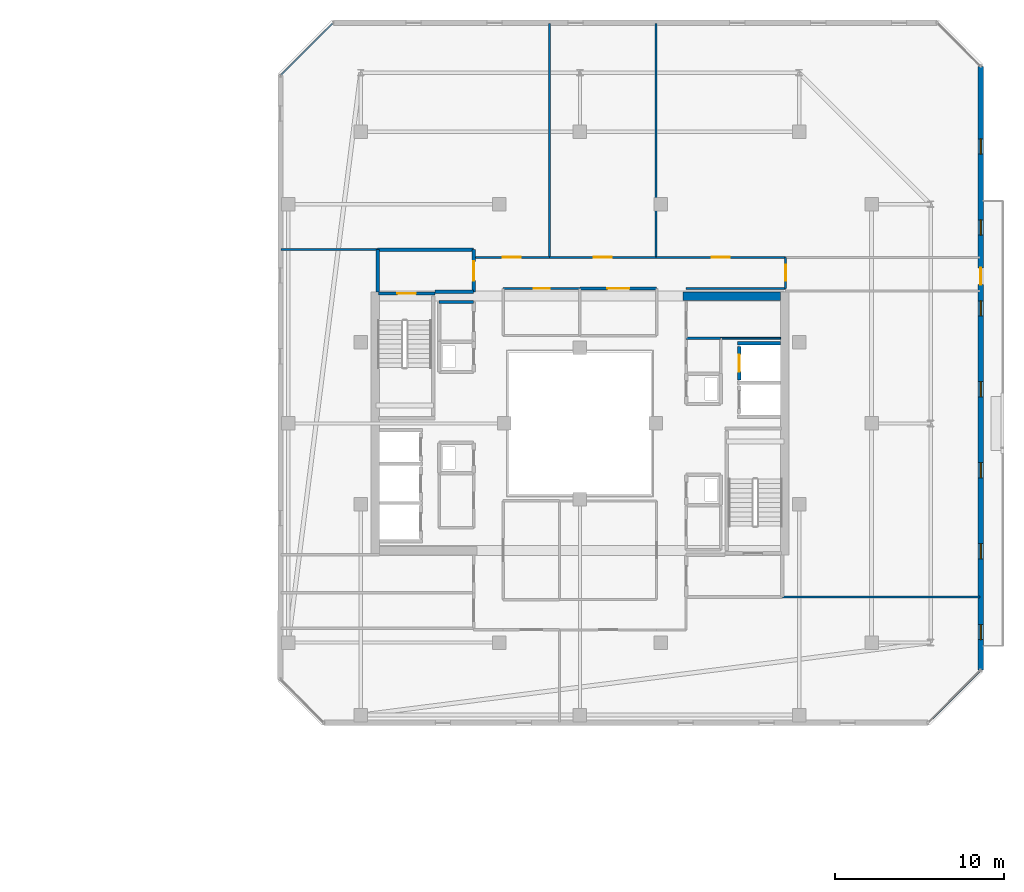
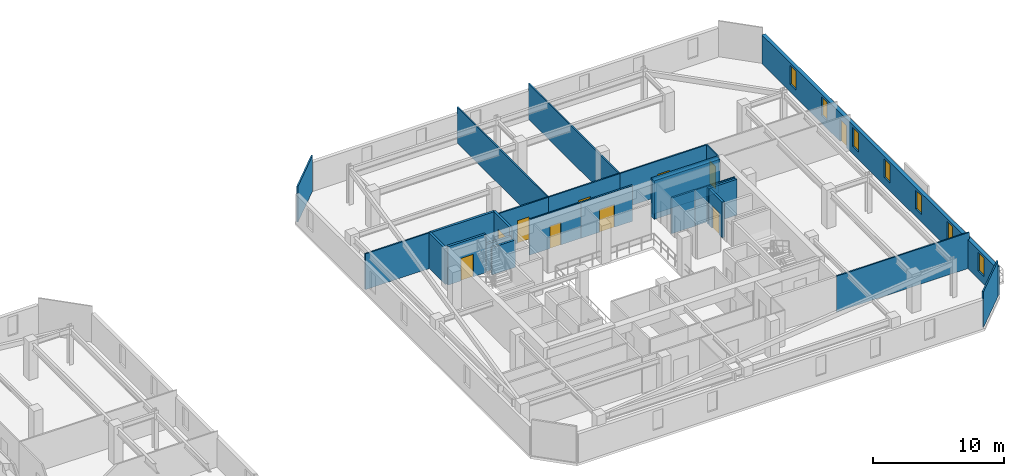
# One storey, part 27 of 35: 25 walls, 10 doors, 7 windows, 17 openings.
"""IFC4 building model written with IfcOpenShell, lengths in metres."""

from ifc_helpers import new_model, si_unit, direction, frame, frame_2d, origin, place, context, subcontext, project, spatial, rectangle, extrude, material, layer, layer_set, type_object, element, fill, save


model = new_model("IFC4")

# Units and contexts
model_context = context("Model", 3, precision=1e-05, world=origin(), true_north=direction((0.0, 1.0)))
body_context = subcontext(model_context, "Body", "Model", "MODEL_VIEW")
ifc_project = project(units=[si_unit("LENGTHUNIT", "METRE"), si_unit("AREAUNIT", "SQUARE_METRE"), si_unit("VOLUMEUNIT", "CUBIC_METRE"), si_unit("PLANEANGLEUNIT", "RADIAN"), si_unit("MASSUNIT", "GRAM", prefix="KILO")], contexts=[model_context])

# Site, building, storey
site_placement = place(None, origin())
site = spatial("IfcSite", under=ifc_project, at=site_placement, CompositionType="ELEMENT")
building_placement = place(site_placement, origin())
building = spatial("IfcBuilding", under=site, at=building_placement, Name="Thornwick Lancets Civic Towers", CompositionType="ELEMENT")
storey_placement = place(building_placement, frame((0.0, 0.0, 269.10009765625)))
storey = spatial("IfcBuildingStorey", under=building, at=storey_placement, Name="L72", CompositionType="ELEMENT", Elevation=269.10009765625)

# Wall, opening, door
ifc_material_1 = material(Name="Concrete blockwork C40/50", Category="masonry")
ifc_layer_1 = layer(ifc_material_1, 0.199951171875, Name="Concrete blockwork C40/50")
ifc_layer_set_1 = layer_set([ifc_layer_1], Name="Concrete blockwork C40/50")
wall_type_1 = type_object("IfcWallType", Name="WALL_COMP_200", PredefinedType="STANDARD", material=ifc_layer_set_1)
wall_1_placement = place(storey_placement, frame((97.949951171875, 31.570068359375, 0.0), z_axis=(0.0, 0.0, 1.0), x_axis=(0.0, -1.0, 0.0)))
wall_1 = element("IfcWall", 1, at=wall_1_placement, inside=storey, type_object=wall_type_1, Name="L72 Hoistway Front Wall PL-BH1", PredefinedType="STANDARD", context=body_context, shape_type="SweptSolid", body=[
    extrude(rectangle(XDim=1.989990234375, YDim=0.199951171875, at=frame_2d((0.9951171875, 0.0))), origin(), (0.0, 0.0, 1.0), 3.33984375),
])
opening_1_placement = place(wall_1_placement, frame((0.485107421875, 0.0, 0.0)))
opening_1 = element("IfcOpeningElement", 2, at=opening_1_placement, cuts=wall_1, Name="Opening LD-PL-BH1", PredefinedType="OPENING", context=body_context, shape_type="SweptSolid", body=[
    extrude(rectangle(XDim=1.02001953125, YDim=2.06005859375, at=frame_2d((0.510009765625, 1.030029296875))), frame((0.0, 0.10986328125, 0.0), z_axis=(0.0, -1.0, 0.0), x_axis=(1.0, 0.0, 0.0)), (0.0, 0.0, 1.0), 0.219970703125),
])
ifc_material_2 = material(Name="Brushed bronze stainless steel", Category="steel")
door_type_1 = type_object("IfcDoorType", Name="DOOR_LIFT_SLIDE", OperationType="SLIDING_TO_LEFT", PredefinedType="DOOR", material=ifc_material_2)
door_1_placement = place(opening_1_placement, origin())
door_1 = element("IfcDoor", 3, at=door_1_placement, inside=storey, type_object=door_type_1, Name="L72 Sliding Lift Landing Door LD-PL-BH1", OperationType="SLIDING_TO_LEFT", OverallHeight=2.06005859375, OverallWidth=1.02001953125, PredefinedType="DOOR", context=body_context, shape_type="SweptSolid", body=[
    extrude(rectangle(XDim=1.02001953125, YDim=2.06005859375, at=frame_2d((0.510009765625, 1.030029296875))), frame((0.0, 0.02490234375, 0.0), z_axis=(0.0, -1.0, 0.0), x_axis=(1.0, 0.0, 0.0)), (0.0, 0.0, 1.0), 0.050048828125),
])
fill(opening_1, door_1)

# Walls
wall_2_placement = place(storey_placement, frame((97.85205078125, 31.75, 0.0), z_axis=(0.0, 0.0, 1.0), x_axis=(1.0, 0.0, 0.0)))
element("IfcWall", 4, at=wall_2_placement, inside=storey, type_object=wall_type_1, Name="L72 Hoistway Shaft Wall PL-BH1 N", PredefinedType="STANDARD", context=body_context, shape_type="SweptSolid", body=[
    extrude(rectangle(XDim=2.535888671875, YDim=0.199951171875, at=frame_2d((1.26806640625, 0.0))), origin(), (0.0, 0.0, 1.0), 3.33984375),
])
wall_3_placement = place(storey_placement, frame((79.89990234375, 34.800048828125, 0.0), z_axis=(0.0, 0.0, 1.0), x_axis=(1.0, 0.0, 0.0)))
element("IfcWall", 5, at=wall_3_placement, inside=storey, type_object=wall_type_1, Name="L72 Partition L72-B-FFLOB2 E1", PredefinedType="STANDARD", context=body_context, shape_type="SweptSolid", body=[
    extrude(rectangle(XDim=2.300048828125, YDim=0.199951171875, at=frame_2d((1.14990234375, 0.0))), origin(), (0.0, 0.0, 1.0), 2.544921875),
])

# Wall, opening, door
wall_4_placement = place(storey_placement, frame((82.199951171875, 34.800048828125, 0.0), z_axis=(0.0, 0.0, 1.0), x_axis=(0.0, 1.0, 0.0)))
wall_4 = element("IfcWall", 6, at=wall_4_placement, inside=storey, type_object=wall_type_1, Name="L72 Partition L72-B-FFLOB2 E2", PredefinedType="STANDARD", context=body_context, shape_type="SweptSolid", body=[
    extrude(rectangle(XDim=2.5, YDim=0.199951171875, at=frame_2d((1.25, 0.0))), origin(), (0.0, 0.0, 1.0), 3.33984375),
])
opening_2_placement = place(wall_4_placement, frame((0.659912109375, 0.0, 0.0)))
opening_2 = element("IfcOpeningElement", 7, at=opening_2_placement, cuts=wall_4, Name="Opening D-L72-3289", PredefinedType="OPENING", context=body_context, shape_type="SweptSolid", body=[
    extrude(rectangle(XDim=1.14990234375, YDim=2.10009765625, at=frame_2d((0.574951171875, 1.050048828125))), frame((0.0, 0.10986328125, 0.0), z_axis=(0.0, -1.0, 0.0), x_axis=(1.0, 0.0, 0.0)), (0.0, 0.0, 1.0), 0.219970703125),
])
ifc_material_3 = material(Name="Glazed fire-resisting steel", Category="steel")
door_type_2 = type_object("IfcDoorType", Name="DOOR_LOBBY_FD60", OperationType="NOTDEFINED", PredefinedType="DOOR", material=ifc_material_3)
door_2_placement = place(opening_2_placement, origin())
door_2 = element("IfcDoor", 8, at=door_2_placement, inside=storey, type_object=door_type_2, Name="L72 West Firefighting Lobby 2 Door", OperationType="SINGLE_SWING_RIGHT", OverallHeight=2.10009765625, OverallWidth=1.14990234375, PredefinedType="DOOR", context=body_context, shape_type="SweptSolid", body=[
    extrude(rectangle(XDim=1.14990234375, YDim=2.10009765625, at=frame_2d((0.574951171875, 1.050048828125))), frame((0.0, 0.02490234375, 0.0), z_axis=(0.0, -1.0, 0.0), x_axis=(1.0, 0.0, 0.0)), (0.0, 0.0, 1.0), 0.050048828125),
])
fill(opening_2, door_2)

# Walls
wall_5_placement = place(storey_placement, frame((82.199951171875, 37.300048828125, 0.0), z_axis=(0.0, 0.0, 1.0), x_axis=(-1.0, 0.0, 0.0)))
element("IfcWall", 9, at=wall_5_placement, inside=storey, type_object=wall_type_1, Name="L72 Partition L72-B-FFLOB2 E3", PredefinedType="STANDARD", context=body_context, shape_type="SweptSolid", body=[
    extrude(rectangle(XDim=5.699951171875, YDim=0.199951171875, at=frame_2d((2.85009765625, 0.0))), origin(), (0.0, 0.0, 1.0), 3.33984375),
])
wall_6_placement = place(storey_placement, frame((76.5, 37.300048828125, 0.0), z_axis=(0.0, 0.0, 1.0), x_axis=(0.0, -1.0, 0.0)))
element("IfcWall", 10, at=wall_6_placement, inside=storey, type_object=wall_type_1, Name="L72 Partition L72-B-FFLOB2 E4", PredefinedType="STANDARD", context=body_context, shape_type="SweptSolid", body=[
    extrude(rectangle(XDim=2.5, YDim=0.199951171875, at=frame_2d((1.25, 0.0))), origin(), (0.0, 0.0, 1.0), 3.33984375),
])
wall_7_placement = place(storey_placement, frame((80.14990234375, 34.199951171875, 0.0), z_axis=(0.0, 0.0, 1.0), x_axis=(1.0, 0.0, 0.0)))
element("IfcWall", 11, at=wall_7_placement, inside=storey, type_object=wall_type_1, Name="L72 Partition L72-B-STR E2", PredefinedType="STANDARD", context=body_context, shape_type="SweptSolid", body=[
    extrude(rectangle(XDim=2.050048828125, YDim=0.199951171875, at=frame_2d((1.02490234375, 0.0))), origin(), (0.0, 0.0, 1.0), 2.544921875),
])
ifc_material_4 = material(Name="Concrete C50/60", Category="concrete")
ifc_layer_2 = layer(ifc_material_4, 0.5, Name="Concrete C50/60")
ifc_layer_set_2 = layer_set([ifc_layer_2], Name="Concrete C50/60")
wall_type_2 = type_object("IfcWallType", Name="WALL_CORE_500", PredefinedType="SHEAR", material=ifc_layer_set_2)
wall_8_placement = place(storey_placement, frame((94.60009765625, 34.550048828125, 0.0), z_axis=(0.0, 0.0, 1.0), x_axis=(1.0, 0.0, 0.0)))
element("IfcWall", 12, at=wall_8_placement, inside=storey, type_object=wall_type_2, Name="L72 Split Core B1 Shear Wall N", PredefinedType="SHEAR", context=body_context, shape_type="SweptSolid", body=[
    extrude(rectangle(XDim=5.7998046875, YDim=0.5, at=frame_2d((2.89990234375, 0.0))), origin(), (0.0, 0.0, 1.0), 3.599853515625),
])

# Wall, openings, door, windows
ifc_material_5 = material(Name="Insulated buff terracotta rainscreen on concrete C40/50", Category="masonry")
ifc_layer_3 = layer(ifc_material_5, 0.320068359375, Name="Insulated buff terracotta rainscreen on concrete C40/50")
ifc_layer_set_3 = layer_set([ifc_layer_3], Name="Insulated buff terracotta rainscreen on concrete C40/50")
wall_type_3 = type_object("IfcWallType", Name="WALL_EXT_TERRA_320", PredefinedType="STANDARD", material=ifc_layer_set_3)
wall_9_placement = place(storey_placement, frame((112.2626953125, 12.37060546875, 0.0), z_axis=(0.0, 0.0, 1.0), x_axis=(5.4540124e-05, 0.999999998513, 0.0)))
wall_9 = element("IfcWall", 13, at=wall_9_placement, inside=storey, type_object=wall_type_3, Name="L72 Tower B Terracotta Facade Wall E2", PredefinedType="STANDARD", context=body_context, shape_type="SweptSolid", body=[
    extrude(rectangle(XDim=35.810791015625, YDim=0.320068359375, at=frame_2d((17.9052734375, 0.0))), origin(), (0.0, 0.0, 1.0), 2.699951171875),
])
opening_3_placement = place(wall_9_placement, frame((22.85546875, 0.0, 0.0)))
opening_3 = element("IfcOpeningElement", 14, at=opening_3_placement, cuts=wall_9, Name="Opening D-BL-L72-BE", PredefinedType="OPENING", context=body_context, shape_type="SweptSolid", body=[
    extrude(rectangle(XDim=1.0, YDim=2.080078125, at=frame_2d((0.5, 1.0400390625))), frame((0.0, 0.169921875, 0.0), z_axis=(0.0, -1.0, 0.0), x_axis=(1.0, 0.0, 0.0)), (0.0, 0.0, 1.0), 0.340087890625),
])
opening_4_placement = place(wall_9_placement, frame((1.800048828125, 0.0, 0.719970703125)))
opening_4 = element("IfcOpeningElement", 15, at=opening_4_placement, cuts=wall_9, Name="Opening WL-01", PredefinedType="OPENING", context=body_context, shape_type="SweptSolid", body=[
    extrude(rectangle(XDim=0.89990234375, YDim=1.75, at=frame_2d((0.449951171875, 0.875))), frame((0.0, 0.169921875, 0.0), z_axis=(0.0, -1.0, 0.0), x_axis=(1.0, 0.0, 0.0)), (0.0, 0.0, 1.0), 0.340087890625),
])
opening_5_placement = place(wall_9_placement, frame((6.60009765625, 0.0, 0.719970703125)))
opening_5 = element("IfcOpeningElement", 16, at=opening_5_placement, cuts=wall_9, Name="Opening WL-01", PredefinedType="OPENING", context=body_context, shape_type="SweptSolid", body=[
    extrude(rectangle(XDim=0.89990234375, YDim=1.75, at=frame_2d((0.449951171875, 0.875))), frame((0.0, 0.169921875, 0.0), z_axis=(0.0, -1.0, 0.0), x_axis=(1.0, 0.0, 0.0)), (0.0, 0.0, 1.0), 0.340087890625),
])
opening_6_placement = place(wall_9_placement, frame((11.39990234375, 0.0, 0.719970703125)))
opening_6 = element("IfcOpeningElement", 17, at=opening_6_placement, cuts=wall_9, Name="Opening WL-01", PredefinedType="OPENING", context=body_context, shape_type="SweptSolid", body=[
    extrude(rectangle(XDim=0.89990234375, YDim=1.75, at=frame_2d((0.449951171875, 0.875))), frame((0.0, 0.169921875, 0.0), z_axis=(0.0, -1.0, 0.0), x_axis=(1.0, 0.0, 0.0)), (0.0, 0.0, 1.0), 0.340087890625),
])
opening_7_placement = place(wall_9_placement, frame((16.199951171875, 0.0, 0.719970703125)))
opening_7 = element("IfcOpeningElement", 18, at=opening_7_placement, cuts=wall_9, Name="Opening WL-01", PredefinedType="OPENING", context=body_context, shape_type="SweptSolid", body=[
    extrude(rectangle(XDim=0.89990234375, YDim=1.75, at=frame_2d((0.449951171875, 0.875))), frame((0.0, 0.169921875, 0.0), z_axis=(0.0, -1.0, 0.0), x_axis=(1.0, 0.0, 0.0)), (0.0, 0.0, 1.0), 0.340087890625),
])
opening_8_placement = place(wall_9_placement, frame((21.0, 0.0, 0.719970703125)))
opening_8 = element("IfcOpeningElement", 19, at=opening_8_placement, cuts=wall_9, Name="Opening WL-01", PredefinedType="OPENING", context=body_context, shape_type="SweptSolid", body=[
    extrude(rectangle(XDim=0.89990234375, YDim=1.75, at=frame_2d((0.449951171875, 0.875))), frame((0.0, 0.169921875, 0.0), z_axis=(0.0, -1.0, 0.0), x_axis=(1.0, 0.0, 0.0)), (0.0, 0.0, 1.0), 0.340087890625),
])
opening_9_placement = place(wall_9_placement, frame((25.800048828125, 0.0, 0.719970703125)))
opening_9 = element("IfcOpeningElement", 20, at=opening_9_placement, cuts=wall_9, Name="Opening WL-01", PredefinedType="OPENING", context=body_context, shape_type="SweptSolid", body=[
    extrude(rectangle(XDim=0.89990234375, YDim=1.75, at=frame_2d((0.449951171875, 0.875))), frame((0.0, 0.169921875, 0.0), z_axis=(0.0, -1.0, 0.0), x_axis=(1.0, 0.0, 0.0)), (0.0, 0.0, 1.0), 0.340087890625),
])
opening_10_placement = place(wall_9_placement, frame((30.60009765625, 0.0, 0.719970703125)))
opening_10 = element("IfcOpeningElement", 21, at=opening_10_placement, cuts=wall_9, Name="Opening WL-01", PredefinedType="OPENING", context=body_context, shape_type="SweptSolid", body=[
    extrude(rectangle(XDim=0.89990234375, YDim=1.75, at=frame_2d((0.449951171875, 0.875))), frame((0.0, 0.169921875, 0.0), z_axis=(0.0, -1.0, 0.0), x_axis=(1.0, 0.0, 0.0)), (0.0, 0.0, 1.0), 0.340087890625),
])
ifc_material_6 = material(Name="Thermally broken glazed loggia doorset")
door_type_3 = type_object("IfcDoorType", Name="DOOR_BALC_1000", OperationType="NOTDEFINED", PredefinedType="DOOR", material=ifc_material_6)
door_3_placement = place(opening_3_placement, origin())
door_3 = element("IfcDoor", 22, at=door_3_placement, inside=storey, type_object=door_type_3, Name="L72 Tower B Loggia Balcony Door E", OperationType="SINGLE_SWING_LEFT", OverallHeight=2.080078125, OverallWidth=1.0, PredefinedType="DOOR", context=body_context, shape_type="SweptSolid", body=[
    extrude(rectangle(XDim=1.0, YDim=2.080078125, at=frame_2d((0.5, 1.0400390625))), frame((0.0, 0.02490234375, 0.0), z_axis=(0.0, -1.0, 0.0), x_axis=(1.0, 0.0, 0.0)), (0.0, 0.0, 1.0), 0.050048828125),
])
fill(opening_3, door_3)
ifc_material_7 = material(Name="Clear low-e double glazing in bronze frame", Category="glass")
window_type = type_object("IfcWindowType", Name="WIN_LANCET_900", PartitioningType="SINGLE_PANEL", PredefinedType="WINDOW", material=ifc_material_7)
window_1_placement = place(opening_4_placement, origin())
window_1 = element("IfcWindow", 23, at=window_1_placement, inside=storey, type_object=window_type, Name="L72 Tower B Staggered Lancet Window E2-1", OverallHeight=1.75, OverallWidth=0.89990234375, PartitioningType="SINGLE_PANEL", PredefinedType="WINDOW", context=body_context, shape_type="SweptSolid", body=[
    extrude(rectangle(XDim=0.89990234375, YDim=1.75, at=frame_2d((0.449951171875, 0.875))), frame((0.0, 0.030029296875, 0.0), z_axis=(0.0, -1.0, 0.0), x_axis=(1.0, 0.0, 0.0)), (0.0, 0.0, 1.0), 0.06005859375),
])
fill(opening_4, window_1)
window_2_placement = place(opening_5_placement, origin())
window_2 = element("IfcWindow", 24, at=window_2_placement, inside=storey, type_object=window_type, Name="L72 Tower B Staggered Lancet Window E2-2", OverallHeight=1.75, OverallWidth=0.89990234375, PartitioningType="SINGLE_PANEL", PredefinedType="WINDOW", context=body_context, shape_type="SweptSolid", body=[
    extrude(rectangle(XDim=0.89990234375, YDim=1.75, at=frame_2d((0.449951171875, 0.875))), frame((0.0, 0.030029296875, 0.0), z_axis=(0.0, -1.0, 0.0), x_axis=(1.0, 0.0, 0.0)), (0.0, 0.0, 1.0), 0.06005859375),
])
fill(opening_5, window_2)
window_3_placement = place(opening_6_placement, origin())
window_3 = element("IfcWindow", 25, at=window_3_placement, inside=storey, type_object=window_type, Name="L72 Tower B Staggered Lancet Window E2-3", OverallHeight=1.75, OverallWidth=0.89990234375, PartitioningType="SINGLE_PANEL", PredefinedType="WINDOW", context=body_context, shape_type="SweptSolid", body=[
    extrude(rectangle(XDim=0.89990234375, YDim=1.75, at=frame_2d((0.449951171875, 0.875))), frame((0.0, 0.030029296875, 0.0), z_axis=(0.0, -1.0, 0.0), x_axis=(1.0, 0.0, 0.0)), (0.0, 0.0, 1.0), 0.06005859375),
])
fill(opening_6, window_3)
window_4_placement = place(opening_7_placement, origin())
window_4 = element("IfcWindow", 26, at=window_4_placement, inside=storey, type_object=window_type, Name="L72 Tower B Staggered Lancet Window E2-4", OverallHeight=1.75, OverallWidth=0.89990234375, PartitioningType="SINGLE_PANEL", PredefinedType="WINDOW", context=body_context, shape_type="SweptSolid", body=[
    extrude(rectangle(XDim=0.89990234375, YDim=1.75, at=frame_2d((0.449951171875, 0.875))), frame((0.0, 0.030029296875, 0.0), z_axis=(0.0, -1.0, 0.0), x_axis=(1.0, 0.0, 0.0)), (0.0, 0.0, 1.0), 0.06005859375),
])
fill(opening_7, window_4)
window_5_placement = place(opening_8_placement, origin())
window_5 = element("IfcWindow", 27, at=window_5_placement, inside=storey, type_object=window_type, Name="L72 Tower B Staggered Lancet Window E2-5", OverallHeight=1.75, OverallWidth=0.89990234375, PartitioningType="SINGLE_PANEL", PredefinedType="WINDOW", context=body_context, shape_type="SweptSolid", body=[
    extrude(rectangle(XDim=0.89990234375, YDim=1.75, at=frame_2d((0.449951171875, 0.875))), frame((0.0, 0.030029296875, 0.0), z_axis=(0.0, -1.0, 0.0), x_axis=(1.0, 0.0, 0.0)), (0.0, 0.0, 1.0), 0.06005859375),
])
fill(opening_8, window_5)
window_6_placement = place(opening_9_placement, origin())
window_6 = element("IfcWindow", 28, at=window_6_placement, inside=storey, type_object=window_type, Name="L72 Tower B Staggered Lancet Window E2-6", OverallHeight=1.75, OverallWidth=0.89990234375, PartitioningType="SINGLE_PANEL", PredefinedType="WINDOW", context=body_context, shape_type="SweptSolid", body=[
    extrude(rectangle(XDim=0.89990234375, YDim=1.75, at=frame_2d((0.449951171875, 0.875))), frame((0.0, 0.030029296875, 0.0), z_axis=(0.0, -1.0, 0.0), x_axis=(1.0, 0.0, 0.0)), (0.0, 0.0, 1.0), 0.06005859375),
])
fill(opening_9, window_6)
window_7_placement = place(opening_10_placement, origin())
window_7 = element("IfcWindow", 29, at=window_7_placement, inside=storey, type_object=window_type, Name="L72 Tower B Staggered Lancet Window E2-7", OverallHeight=1.75, OverallWidth=0.89990234375, PartitioningType="SINGLE_PANEL", PredefinedType="WINDOW", context=body_context, shape_type="SweptSolid", body=[
    extrude(rectangle(XDim=0.89990234375, YDim=1.75, at=frame_2d((0.449951171875, 0.875))), frame((0.0, 0.030029296875, 0.0), z_axis=(0.0, -1.0, 0.0), x_axis=(1.0, 0.0, 0.0)), (0.0, 0.0, 1.0), 0.06005859375),
])
fill(opening_10, window_7)

# Walls
ifc_material_8 = material(Name="Lightweight cellular office partition")
ifc_layer_4 = layer(ifc_material_8, 0.10009765625, Name="Lightweight cellular office partition")
ifc_layer_set_4 = layer_set([ifc_layer_4], Name="Lightweight cellular office partition")
wall_type_4 = type_object("IfcWallType", Name="WALL_PART_100", PredefinedType="PARTITIONING", material=ifc_layer_set_4)
wall_10_placement = place(storey_placement, frame((100.39990234375, 32.050048828125, 0.0), z_axis=(0.0, 0.0, 1.0), x_axis=(-1.0, 0.0, 0.0)))
element("IfcWall", 30, at=wall_10_placement, inside=storey, type_object=wall_type_4, Name="L72 Partition L72-B-CLN E4", PredefinedType="PARTITIONING", context=body_context, shape_type="SweptSolid", body=[
    extrude(rectangle(XDim=3.5498046875, YDim=0.10009765625, at=frame_2d((1.77490234375, 0.0))), origin(), (0.0, 0.0, 1.0), 3.33984375),
])
ifc_material_9 = material(Name="Acoustic gypsum board partition")
ifc_layer_5 = layer(ifc_material_9, 0.1201171875, Name="Acoustic gypsum board partition")
ifc_layer_set_5 = layer_set([ifc_layer_5], Name="Acoustic gypsum board partition")
wall_type_5 = type_object("IfcWallType", Name="WALL_PART_120", PredefinedType="PARTITIONING", material=ifc_layer_set_5)
wall_11_placement = place(storey_placement, frame((94.800048828125, 35.0, 0.0), z_axis=(0.0, 0.0, 1.0), x_axis=(1.0, 0.0, 0.0)))
element("IfcWall", 31, at=wall_11_placement, inside=storey, type_object=wall_type_5, Name="L72 Partition L72-B-RECLAIM-L E2", PredefinedType="PARTITIONING", context=body_context, shape_type="SweptSolid", body=[
    extrude(rectangle(XDim=5.89990234375, YDim=0.1201171875, at=frame_2d((2.949951171875, 0.0))), origin(), (0.0, 0.0, 1.0), 3.33984375),
])

# Wall, opening, door
wall_12_placement = place(storey_placement, frame((100.699951171875, 35.0, 0.0), z_axis=(0.0, 0.0, 1.0), x_axis=(0.0, 1.0, 0.0)))
wall_12 = element("IfcWall", 32, at=wall_12_placement, inside=storey, type_object=wall_type_5, Name="L72 Partition L72-B-RECLAIM-L E3", PredefinedType="PARTITIONING", context=body_context, shape_type="SweptSolid", body=[
    extrude(rectangle(XDim=1.85009765625, YDim=0.1201171875, at=frame_2d((0.925048828125, 0.0))), origin(), (0.0, 0.0, 1.0), 3.33984375),
])
opening_11_placement = place(wall_12_placement, frame((0.449951171875, 0.0, 0.0)))
opening_11 = element("IfcOpeningElement", 33, at=opening_11_placement, cuts=wall_12, Name="Opening D-L72-3311", PredefinedType="OPENING", context=body_context, shape_type="SweptSolid", body=[
    extrude(rectangle(XDim=0.949951171875, YDim=2.10009765625, at=frame_2d((0.47509765625, 1.050048828125))), frame((0.0, 0.070068359375, 0.0), z_axis=(0.0, -1.0, 0.0), x_axis=(1.0, 0.0, 0.0)), (0.0, 0.0, 1.0), 0.14013671875),
])
ifc_material_10 = material(Name="European oak acoustic doorset")
door_type_4 = type_object("IfcDoorType", Name="DOOR_OFFICE_950", OperationType="NOTDEFINED", PredefinedType="DOOR", material=ifc_material_10)
door_4_placement = place(opening_11_placement, origin())
door_4 = element("IfcDoor", 34, at=door_4_placement, inside=storey, type_object=door_type_4, Name="L72 Tower B Parliamentary Drafting Library Door", OperationType="SINGLE_SWING_RIGHT", OverallHeight=2.10009765625, OverallWidth=0.949951171875, PredefinedType="DOOR", context=body_context, shape_type="SweptSolid", body=[
    extrude(rectangle(XDim=0.949951171875, YDim=2.10009765625, at=frame_2d((0.47509765625, 1.050048828125))), frame((0.0, 0.02490234375, 0.0), z_axis=(0.0, -1.0, 0.0), x_axis=(1.0, 0.0, 0.0)), (0.0, 0.0, 1.0), 0.050048828125),
])
fill(opening_11, door_4)

# Walls
wall_13_placement = place(storey_placement, frame((100.5, 16.699951171875, 0.0), z_axis=(0.0, 0.0, 1.0), x_axis=(1.0, 0.0, 0.0)))
element("IfcWall", 35, at=wall_13_placement, inside=storey, type_object=wall_type_5, Name="L72 Partition L72-B-W1 E7", PredefinedType="PARTITIONING", context=body_context, shape_type="SweptSolid", body=[
    extrude(rectangle(XDim=11.719970703125, YDim=0.1201171875, at=frame_2d((5.85986328125, 0.0))), origin(), (0.0, 0.0, 1.0), 3.33984375),
])
wall_14_placement = place(storey_placement, frame((112.219970703125, 12.32861328125, 0.0), z_axis=(0.0, 0.0, 1.0), x_axis=(-0.707106781187, -0.707106781187, 0.0)))
element("IfcWall", 36, at=wall_14_placement, inside=storey, type_object=wall_type_5, Name="L72 Partition L72-B-W1 E9", PredefinedType="PARTITIONING", context=body_context, shape_type="SweptSolid", body=[
    extrude(rectangle(XDim=4.311279296875, YDim=0.1201171875, at=frame_2d((2.15576171875, 0.0))), origin(), (0.0, 0.0, 1.0), 3.33984375),
])

# Wall, opening, door
wall_15_placement = place(storey_placement, frame((100.699951171875, 36.85009765625, 0.0), z_axis=(0.0, 0.0, 1.0), x_axis=(-1.0, 0.0, 0.0)))
wall_15 = element("IfcWall", 37, at=wall_15_placement, inside=storey, type_object=wall_type_5, Name="L72 Partition L72-B-E1 E1", PredefinedType="PARTITIONING", context=body_context, shape_type="SweptSolid", body=[
    extrude(rectangle(XDim=7.699951171875, YDim=0.1201171875, at=frame_2d((3.85009765625, 0.0))), origin(), (0.0, 0.0, 1.0), 3.33984375),
])
opening_12_placement = place(wall_15_placement, frame((3.324951171875, 0.0, 0.0)))
opening_12 = element("IfcOpeningElement", 38, at=opening_12_placement, cuts=wall_15, Name="Opening D-L72-3318", PredefinedType="OPENING", context=body_context, shape_type="SweptSolid", body=[
    extrude(rectangle(XDim=1.050048828125, YDim=2.10009765625, at=frame_2d((0.52490234375, 1.050048828125))), frame((0.0, 0.070068359375, 0.0), z_axis=(0.0, -1.0, 0.0), x_axis=(1.0, 0.0, 0.0)), (0.0, 0.0, 1.0), 0.14013671875),
])
ifc_material_11 = material(Name="Glazed European oak executive doorset")
door_type_5 = type_object("IfcDoorType", Name="DOOR_OFFICE_1050", OperationType="NOTDEFINED", PredefinedType="DOOR", material=ifc_material_11)
door_5_placement = place(opening_12_placement, origin())
door_5 = element("IfcDoor", 39, at=door_5_placement, inside=storey, type_object=door_type_5, Name="L72 Tower B Secretariat Open Office E1 Door", OperationType="SINGLE_SWING_LEFT", OverallHeight=2.10009765625, OverallWidth=1.050048828125, PredefinedType="DOOR", context=body_context, shape_type="SweptSolid", body=[
    extrude(rectangle(XDim=1.050048828125, YDim=2.10009765625, at=frame_2d((0.52490234375, 1.050048828125))), frame((0.0, 0.02490234375, 0.0), z_axis=(0.0, -1.0, 0.0), x_axis=(1.0, 0.0, 0.0)), (0.0, 0.0, 1.0), 0.050048828125),
])
fill(opening_12, door_5)

# Walls
for number, where, z_axis, x_axis, name in (
    (40, (93.0, 36.85009765625, 0.0), (0.0, 0.0, 1.0), (0.0, 1.0, 0.0), "L72 Partition L72-B-E1 E2"),
    (41, (86.699951171875, 36.85009765625, 0.0), (0.0, 0.0, 1.0), (0.0, 1.0, 0.0), "L72 Partition L72-B-E2 E1"),
):
    element("IfcWall", number, at=place(storey_placement, frame(where, z_axis=z_axis, x_axis=x_axis)), inside=storey, type_object=wall_type_5, Name=name, PredefinedType="PARTITIONING", context=body_context, shape_type="SweptSolid", body=[
        extrude(rectangle(XDim=13.869873046875, YDim=0.1201171875, at=frame_2d((6.93505859375, 0.0))), origin(), (0.0, 0.0, 1.0), 3.33984375),
    ])

# Wall, opening, door
wall_16_placement = place(storey_placement, frame((93.0, 36.85009765625, 0.0), z_axis=(0.0, 0.0, 1.0), x_axis=(-1.0, 0.0, 0.0)))
wall_16 = element("IfcWall", 42, at=wall_16_placement, inside=storey, type_object=wall_type_5, Name="L72 Partition L72-B-E2 E4", PredefinedType="PARTITIONING", context=body_context, shape_type="SweptSolid", body=[
    extrude(rectangle(XDim=6.300048828125, YDim=0.1201171875, at=frame_2d((3.14990234375, 0.0))), origin(), (0.0, 0.0, 1.0), 3.33984375),
])
opening_13_placement = place(wall_16_placement, frame((2.625, 0.0, 0.0)))
opening_13 = element("IfcOpeningElement", 43, at=opening_13_placement, cuts=wall_16, Name="Opening D-L72-3319", PredefinedType="OPENING", context=body_context, shape_type="SweptSolid", body=[
    extrude(rectangle(XDim=1.050048828125, YDim=2.10009765625, at=frame_2d((0.52490234375, 1.050048828125))), frame((0.0, 0.070068359375, 0.0), z_axis=(0.0, -1.0, 0.0), x_axis=(1.0, 0.0, 0.0)), (0.0, 0.0, 1.0), 0.14013671875),
])
door_6_placement = place(opening_13_placement, origin())
door_6 = element("IfcDoor", 44, at=door_6_placement, inside=storey, type_object=door_type_5, Name="L72 Tower B Visitors Reception and Waiting Door", OperationType="SINGLE_SWING_RIGHT", OverallHeight=2.10009765625, OverallWidth=1.050048828125, PredefinedType="DOOR", context=body_context, shape_type="SweptSolid", body=[
    extrude(rectangle(XDim=1.050048828125, YDim=2.10009765625, at=frame_2d((0.52490234375, 1.050048828125))), frame((0.0, 0.02490234375, 0.0), z_axis=(0.0, -1.0, 0.0), x_axis=(1.0, 0.0, 0.0)), (0.0, 0.0, 1.0), 0.050048828125),
])
fill(opening_13, door_6)

# Walls
wall_17_placement = place(storey_placement, frame((76.5, 37.300048828125, 0.0), z_axis=(0.0, 0.0, 1.0), x_axis=(-1.0, 0.0, 0.0)))
element("IfcWall", 45, at=wall_17_placement, inside=storey, type_object=wall_type_5, Name="L72 Partition L72-B-E3 E3", PredefinedType="PARTITIONING", context=body_context, shape_type="SweptSolid", body=[
    extrude(rectangle(XDim=5.719970703125, YDim=0.1201171875, at=frame_2d((2.85986328125, 0.0))), origin(), (0.0, 0.0, 1.0), 3.33984375),
])
wall_18_placement = place(storey_placement, frame((70.780029296875, 47.67138671875, 0.0), z_axis=(0.0, 0.0, 1.0), x_axis=(0.707106781187, 0.707106781187, 0.0)))
element("IfcWall", 46, at=wall_18_placement, inside=storey, type_object=wall_type_5, Name="L72 Partition L72-B-E3 E5", PredefinedType="PARTITIONING", context=body_context, shape_type="SweptSolid", body=[
    extrude(rectangle(XDim=4.311279296875, YDim=0.1201171875, at=frame_2d((2.15576171875, 0.0))), origin(), (0.0, 0.0, 1.0), 3.33984375),
])

# Wall, opening, door
wall_19_placement = place(storey_placement, frame((86.699951171875, 36.85009765625, 0.0), z_axis=(0.0, 0.0, 1.0), x_axis=(-1.0, 0.0, 0.0)))
wall_19 = element("IfcWall", 47, at=wall_19_placement, inside=storey, type_object=wall_type_5, Name="L72 Partition L72-B-E3 E8", PredefinedType="PARTITIONING", context=body_context, shape_type="SweptSolid", body=[
    extrude(rectangle(XDim=4.5, YDim=0.1201171875, at=frame_2d((2.25, 0.0))), origin(), (0.0, 0.0, 1.0), 3.33984375),
])
opening_14_placement = place(wall_19_placement, frame((1.72509765625, 0.0, 0.0)))
opening_14 = element("IfcOpeningElement", 48, at=opening_14_placement, cuts=wall_19, Name="Opening D-L72-3320", PredefinedType="OPENING", context=body_context, shape_type="SweptSolid", body=[
    extrude(rectangle(XDim=1.050048828125, YDim=2.10009765625, at=frame_2d((0.52490234375, 1.050048828125))), frame((0.0, 0.070068359375, 0.0), z_axis=(0.0, -1.0, 0.0), x_axis=(1.0, 0.0, 0.0)), (0.0, 0.0, 1.0), 0.14013671875),
])
door_7_placement = place(opening_14_placement, origin())
door_7 = element("IfcDoor", 49, at=door_7_placement, inside=storey, type_object=door_type_5, Name="L72 Tower B Civic Seminar Room Door", OperationType="SINGLE_SWING_LEFT", OverallHeight=2.10009765625, OverallWidth=1.050048828125, PredefinedType="DOOR", context=body_context, shape_type="SweptSolid", body=[
    extrude(rectangle(XDim=1.050048828125, YDim=2.10009765625, at=frame_2d((0.52490234375, 1.050048828125))), frame((0.0, 0.02490234375, 0.0), z_axis=(0.0, -1.0, 0.0), x_axis=(1.0, 0.0, 0.0)), (0.0, 0.0, 1.0), 0.050048828125),
])
fill(opening_14, door_7)

wall_20_placement = place(storey_placement, frame((83.949951171875, 35.0, 0.0), z_axis=(0.0, 0.0, 1.0), x_axis=(1.0, 0.0, 0.0)))
wall_20 = element("IfcWall", 50, at=wall_20_placement, inside=storey, type_object=wall_type_5, Name="L72 Partition L72-B-E-ATR-2 E2", PredefinedType="PARTITIONING", context=body_context, shape_type="SweptSolid", body=[
    extrude(rectangle(XDim=4.550048828125, YDim=0.1201171875, at=frame_2d((2.27490234375, 0.0))), origin(), (0.0, 0.0, 1.0), 3.33984375),
])
opening_15_placement = place(wall_20_placement, frame((1.800048828125, 0.0, 0.0)))
opening_15 = element("IfcOpeningElement", 51, at=opening_15_placement, cuts=wall_20, Name="Opening D-L72-3322", PredefinedType="OPENING", context=body_context, shape_type="SweptSolid", body=[
    extrude(rectangle(XDim=0.949951171875, YDim=2.10009765625, at=frame_2d((0.47509765625, 1.050048828125))), frame((0.0, 0.070068359375, 0.0), z_axis=(0.0, -1.0, 0.0), x_axis=(1.0, 0.0, 0.0)), (0.0, 0.0, 1.0), 0.14013671875),
])
door_8_placement = place(opening_15_placement, origin())
door_8 = element("IfcDoor", 52, at=door_8_placement, inside=storey, type_object=door_type_4, Name="L72 Tower B Atrium Research Suite Door", OperationType="SINGLE_SWING_LEFT", OverallHeight=2.10009765625, OverallWidth=0.949951171875, PredefinedType="DOOR", context=body_context, shape_type="SweptSolid", body=[
    extrude(rectangle(XDim=0.949951171875, YDim=2.10009765625, at=frame_2d((0.47509765625, 1.050048828125))), frame((0.0, 0.02490234375, 0.0), z_axis=(0.0, -1.0, 0.0), x_axis=(1.0, 0.0, 0.0)), (0.0, 0.0, 1.0), 0.050048828125),
])
fill(opening_15, door_8)

# Wall
ifc_material_12 = material(Name="Twin-stud acoustic gypsum board")
ifc_layer_6 = layer(ifc_material_12, 0.14990234375, Name="Twin-stud acoustic gypsum board")
ifc_layer_set_6 = layer_set([ifc_layer_6], Name="Twin-stud acoustic gypsum board")
wall_type_6 = type_object("IfcWallType", Name="WALL_PART_150", PredefinedType="PARTITIONING", material=ifc_layer_set_6)
wall_21_placement = place(storey_placement, frame((94.800048828125, 32.050048828125, 0.0), z_axis=(0.0, 0.0, 1.0), x_axis=(1.0, 0.0, 0.0)))
element("IfcWall", 53, at=wall_21_placement, inside=storey, type_object=wall_type_6, Name="L72 Partition L72-B-MWC E2", PredefinedType="PARTITIONING", context=body_context, shape_type="SweptSolid", body=[
    extrude(rectangle(XDim=2.050048828125, YDim=0.14990234375, at=frame_2d((1.02490234375, 0.0))), origin(), (0.0, 0.0, 1.0), 3.33984375),
])

# Wall, opening, door
wall_22_placement = place(storey_placement, frame((88.5, 35.0, 0.0), z_axis=(0.0, 0.0, 1.0), x_axis=(1.0, 0.0, 0.0)))
wall_22 = element("IfcWall", 54, at=wall_22_placement, inside=storey, type_object=wall_type_6, Name="L72 Partition L72-B-E-ATR-1 E2", PredefinedType="PARTITIONING", context=body_context, shape_type="SweptSolid", body=[
    extrude(rectangle(XDim=4.550048828125, YDim=0.14990234375, at=frame_2d((2.27490234375, 0.0))), origin(), (0.0, 0.0, 1.0), 3.33984375),
])
opening_16_placement = place(wall_22_placement, frame((1.625, 0.0, 0.0)))
opening_16 = element("IfcOpeningElement", 55, at=opening_16_placement, cuts=wall_22, Name="Opening D-L72-3321", PredefinedType="OPENING", context=body_context, shape_type="SweptSolid", body=[
    extrude(rectangle(XDim=1.300048828125, YDim=2.1201171875, at=frame_2d((0.64990234375, 1.06005859375))), frame((0.0, 0.0849609375, 0.0), z_axis=(0.0, -1.0, 0.0), x_axis=(1.0, 0.0, 0.0)), (0.0, 0.0, 1.0), 0.169921875),
])
ifc_material_13 = material(Name="Acoustic oak leaf-and-a-half doorset")
door_type_6 = type_object("IfcDoorType", Name="DOOR_MEET_1300", OperationType="DOUBLE_DOOR_SINGLE_SWING", PredefinedType="DOOR", material=ifc_material_13)
door_9_placement = place(opening_16_placement, origin())
door_9 = element("IfcDoor", 56, at=door_9_placement, inside=storey, type_object=door_type_6, Name="L72 Tower B Atrium Briefing Room Door", OperationType="DOUBLE_DOOR_SINGLE_SWING", OverallHeight=2.1201171875, OverallWidth=1.300048828125, PredefinedType="DOOR", context=body_context, shape_type="SweptSolid", body=[
    extrude(rectangle(XDim=1.300048828125, YDim=2.1201171875, at=frame_2d((0.64990234375, 1.06005859375))), frame((0.0, 0.02490234375, 0.0), z_axis=(0.0, -1.0, 0.0), x_axis=(1.0, 0.0, 0.0)), (0.0, 0.0, 1.0), 0.050048828125),
])
fill(opening_16, door_9)

ifc_material_14 = material(Name="Concrete C40/50", Category="concrete")
ifc_layer_7 = layer(ifc_material_14, 0.199951171875, Name="Concrete C40/50")
ifc_layer_set_7 = layer_set([ifc_layer_7], Name="Concrete C40/50")
wall_type_7 = type_object("IfcWallType", Name="WALL_SHAFT_200", PredefinedType="SHEAR", material=ifc_layer_set_7)
wall_23_placement = place(storey_placement, frame((76.550048828125, 34.699951171875, 0.0), z_axis=(0.0, 0.0, 1.0), x_axis=(1.0, 0.0, 0.0)))
wall_23 = element("IfcWall", 57, at=wall_23_placement, inside=storey, type_object=wall_type_7, Name="L72 ST-B2 Fire Stair Core Wall NEAR", PredefinedType="SHEAR", context=body_context, shape_type="SweptSolid", body=[
    extrude(rectangle(XDim=3.349853515625, YDim=0.199951171875, at=frame_2d((1.6748046875, 0.0))), origin(), (0.0, 0.0, 1.0), 3.599853515625),
])
opening_17_placement = place(wall_23_placement, frame((1.125, 0.0, 0.0)))
opening_17 = element("IfcOpeningElement", 58, at=opening_17_placement, cuts=wall_23, Name="Opening D-ST-B2-L72", PredefinedType="OPENING", context=body_context, shape_type="SweptSolid", body=[
    extrude(rectangle(XDim=1.10009765625, YDim=2.10009765625, at=frame_2d((0.550048828125, 1.050048828125))), frame((0.0, 0.10986328125, 0.0), z_axis=(0.0, -1.0, 0.0), x_axis=(1.0, 0.0, 0.0)), (0.0, 0.0, 1.0), 0.219970703125),
])
ifc_material_15 = material(Name="Fire-resisting steel and hardwood", Category="steel")
door_type_7 = type_object("IfcDoorType", Name="DOOR_STAIR_FD60", OperationType="NOTDEFINED", PredefinedType="DOOR", material=ifc_material_15)
door_10_placement = place(opening_17_placement, origin())
door_10 = element("IfcDoor", 59, at=door_10_placement, inside=storey, type_object=door_type_7, Name="L72 ST-B2 Exit Stair Door", OperationType="SINGLE_SWING_LEFT", OverallHeight=2.10009765625, OverallWidth=1.10009765625, PredefinedType="DOOR", context=body_context, shape_type="SweptSolid", body=[
    extrude(rectangle(XDim=1.10009765625, YDim=2.10009765625, at=frame_2d((0.550048828125, 1.050048828125))), frame((0.0, 0.02490234375, 0.0), z_axis=(0.0, -1.0, 0.0), x_axis=(1.0, 0.0, 0.0)), (0.0, 0.0, 1.0), 0.050048828125),
])
fill(opening_17, door_10)

save(model, "model.ifc")
